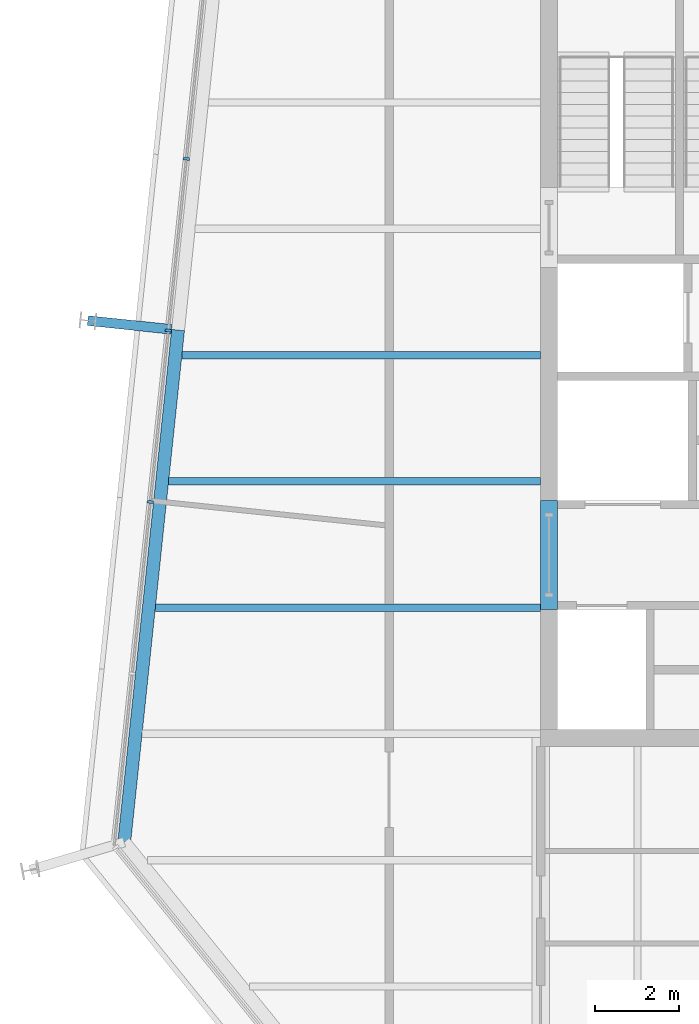
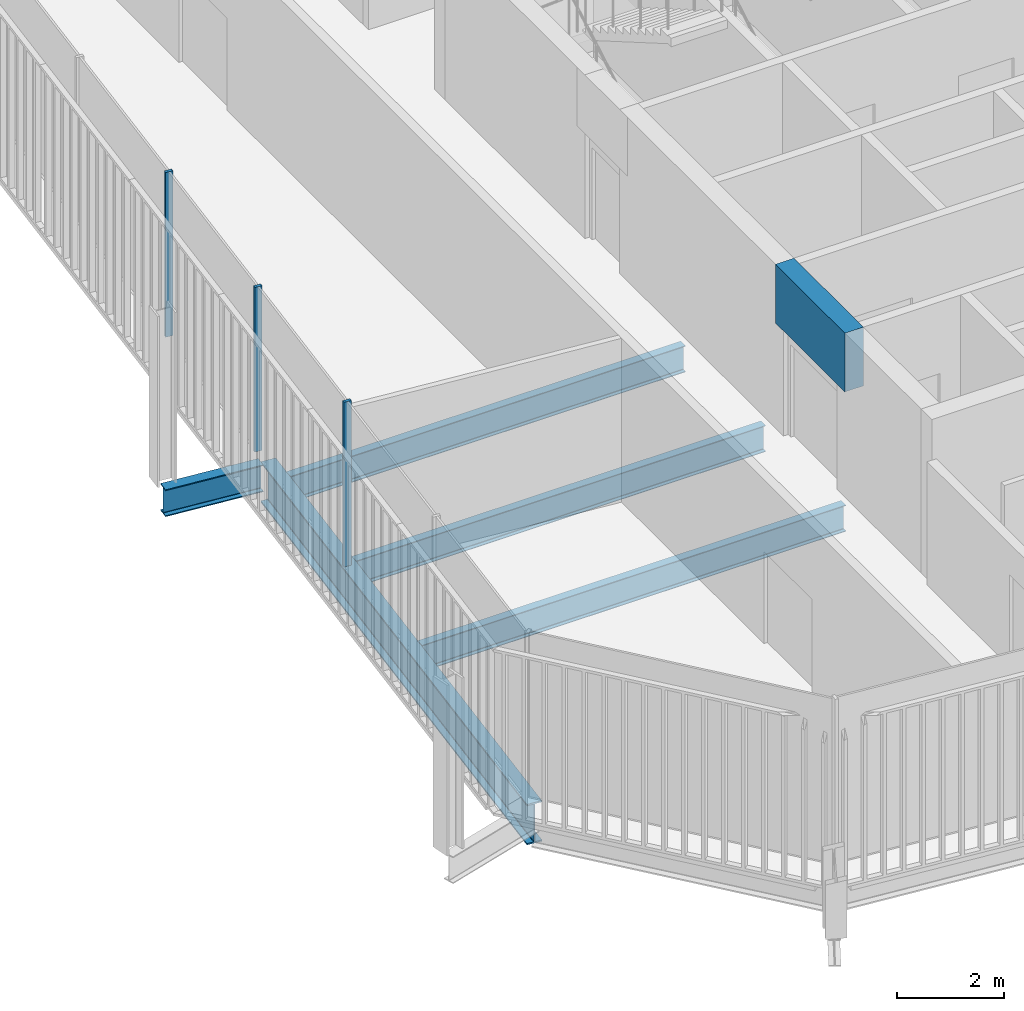
# One storey, part 6 of 20: 6 beams, 3 members, 1 element without a shape of its own.
"""IFC4 building model written with IfcOpenShell, lengths in metres."""

from ifc_helpers import new_model, si_unit, direction, frame, origin, origin_2d, place, context, subcontext, project, spatial, rectangle, i_section, extrude, material, layer, layer_set, material_profile, profile_set, type_object, element, aggregate, save


model = new_model("IFC4")

# Units and contexts
model_context = context("Model", 3, precision=1e-05, world=origin(), true_north=direction((0.0, 1.0)))
body_context = subcontext(model_context, "Body", "Model", "MODEL_VIEW")
ifc_project = project(units=[si_unit("LENGTHUNIT", "METRE"), si_unit("AREAUNIT", "SQUARE_METRE"), si_unit("VOLUMEUNIT", "CUBIC_METRE"), si_unit("PLANEANGLEUNIT", "RADIAN"), si_unit("MASSUNIT", "GRAM", prefix="KILO")], contexts=[model_context])

# Site, building, storey
site_placement = place(None, origin())
site = spatial("IfcSite", under=ifc_project, at=site_placement, CompositionType="ELEMENT")
building_placement = place(site_placement, origin())
building = spatial("IfcBuilding", under=site, at=building_placement, Name="Millrace Tower", CompositionType="ELEMENT")
storey_placement = place(building_placement, frame((0.0, 0.0, 322.60009765625)))
storey = spatial("IfcBuildingStorey", under=building, at=storey_placement, Name="L74", CompositionType="ELEMENT", Elevation=322.60009765625)

# Curtain wall, members
ifc_material_1 = material(Name="Aluminium and glass", Category="aluminium")
ifc_layer = layer(ifc_material_1, 0.14990234375)
ifc_layer_set = layer_set([ifc_layer], Name="Aluminium and glass")
curtain_wall_type = type_object("IfcCurtainWallType", Name="CW-1 office vision curtain wall", PredefinedType="NOTDEFINED", material=ifc_layer_set)
curtain_wall_placement = place(storey_placement, origin())
curtain_wall = element("IfcCurtainWall", 1, at=curtain_wall_placement, inside=storey, type_object=curtain_wall_type, Name="Curtain wall E-F08 L74", PredefinedType="NOTDEFINED")
ifc_material_2 = material(Name="Aluminium", Category="aluminium")
ifc_material_profile_1 = material_profile(ifc_material_2, rectangle(XDim=0.06494140625, YDim=0.14990234375, at=origin_2d()))
ifc_profile_set_1 = profile_set([ifc_material_profile_1], Name="Aluminium")
member_type = type_object("IfcMemberType", Name="CW-1 office vision curtain wall mullion", PredefinedType="MULLION", material=ifc_profile_set_1)
member_1_placement = place(storey_placement, frame((-22.717529296875, 4.664794921875, 0.139892578125), z_axis=(0.0, 0.0, 1.0), x_axis=(-0.104528455196, -0.994521896217, 0.0)))
member_1 = element("IfcMember", 2, at=member_1_placement, type_object=member_type, Name="CW1 mullion E-F08.6", PredefinedType="MULLION", context=body_context, shape_type="SweptSolid", body=[
    extrude(rectangle(XDim=0.06494140625, YDim=0.14990234375, at=origin_2d()), origin(), (0.0, 0.0, 1.0), 3.760009765625),
])
member_2_placement = place(storey_placement, frame((-23.146240234375, 0.587158203125, 0.139892578125), z_axis=(0.0, 0.0, 1.0), x_axis=(-0.104528455196, -0.994521896217, 0.0)))
member_2 = element("IfcMember", 3, at=member_2_placement, type_object=member_type, Name="CW1 mullion E-F08.7", PredefinedType="MULLION", context=body_context, shape_type="SweptSolid", body=[
    extrude(rectangle(XDim=0.06494140625, YDim=0.14990234375, at=origin_2d()), origin(), (0.0, 0.0, 1.0), 3.760009765625),
])
member_3_placement = place(storey_placement, frame((-23.57470703125, -3.490234375, 0.139892578125), z_axis=(0.0, 0.0, 1.0), x_axis=(-0.104528455196, -0.994521896217, 0.0)))
member_3 = element("IfcMember", 4, at=member_3_placement, type_object=member_type, Name="CW1 mullion E-F08.8", PredefinedType="MULLION", context=body_context, shape_type="SweptSolid", body=[
    extrude(rectangle(XDim=0.06494140625, YDim=0.14990234375, at=origin_2d()), origin(), (0.0, 0.0, 1.0), 3.760009765625),
])
aggregate(curtain_wall, [member_1, member_2, member_3])

# Beams
ifc_material_3 = material(Name="Concrete C60", Category="concrete")
ifc_material_profile_2 = material_profile(ifc_material_3, rectangle(XDim=0.39990234375, YDim=1.340087890625, at=origin_2d()))
ifc_profile_set_2 = profile_set([ifc_material_profile_2], Name="Concrete C60")
beam_type_1 = type_object("IfcBeamType", Name="Coupling beam 400 x 1340 Concrete C60, 2000 opening", PredefinedType="BEAM", material=ifc_profile_set_2)
beam_1_placement = place(storey_placement, frame((-14.10009765625, -6.050048828125, 3.06982421875), z_axis=(0.0, 1.0, 0.0), x_axis=(-1.0, 0.0, 0.0)))
element("IfcBeam", 5, at=beam_1_placement, inside=storey, type_object=beam_type_1, Name="Coupling beam W L74", PredefinedType="BEAM", context=body_context, shape_type="SweptSolid", body=[
    extrude(rectangle(XDim=0.39990234375, YDim=1.340087890625, at=origin_2d()), origin(), (0.0, 0.0, 1.0), 2.60009765625),
])
ifc_material_4 = material(Name="Steel ASTM A992 Grade 50", Category="steel")
ifc_material_profile_3 = material_profile(ifc_material_4, i_section(OverallWidth=0.177978515625, OverallDepth=0.599365234375, WebThickness=0.010009765625, FlangeThickness=0.012939453125, FilletRadius=0.012939453125, at=origin_2d()))
ifc_profile_set_3 = profile_set([ifc_material_profile_3], Name="Steel ASTM A992 Grade 50")
beam_type_2 = type_object("IfcBeamType", Name="Floor beam W24x55", PredefinedType="JOIST", material=ifc_profile_set_3)
beam_2_placement = place(storey_placement, frame((-23.4541015625, -6.0, -0.459716796875), z_axis=(1.0, 0.0, 0.0), x_axis=(0.0, 1.0, 0.0)))
element("IfcBeam", 6, at=beam_2_placement, inside=storey, type_object=beam_type_2, Name="BM-E-L74-S1-S009", PredefinedType="JOIST", context=body_context, shape_type="SweptSolid", body=[
    extrude(i_section(OverallWidth=0.177978515625, OverallDepth=0.599365234375, WebThickness=0.010009765625, FlangeThickness=0.012939453125, FilletRadius=0.012939453125, at=origin_2d()), origin(), (0.0, 0.0, 1.0), 9.154052734375),
])
beam_3_placement = place(storey_placement, frame((-23.138916015625, -3.0, -0.459716796875), z_axis=(1.0, 0.0, 0.0), x_axis=(0.0, 1.0, 0.0)))
element("IfcBeam", 7, at=beam_3_placement, inside=storey, type_object=beam_type_2, Name="BM-E-L74-S1-S012", PredefinedType="JOIST", context=body_context, shape_type="SweptSolid", body=[
    extrude(i_section(OverallWidth=0.177978515625, OverallDepth=0.599365234375, WebThickness=0.010009765625, FlangeThickness=0.012939453125, FilletRadius=0.012939453125, at=origin_2d()), origin(), (0.0, 0.0, 1.0), 8.8388671875),
])
beam_4_placement = place(storey_placement, frame((-22.823486328125, 0.0, -0.459716796875), z_axis=(1.0, 0.0, 0.0), x_axis=(0.0, 1.0, 0.0)))
element("IfcBeam", 8, at=beam_4_placement, inside=storey, type_object=beam_type_2, Name="BM-E-L74-S1-S015", PredefinedType="JOIST", context=body_context, shape_type="SweptSolid", body=[
    extrude(i_section(OverallWidth=0.177978515625, OverallDepth=0.599365234375, WebThickness=0.010009765625, FlangeThickness=0.012939453125, FilletRadius=0.012939453125, at=origin_2d()), origin(), (0.0, 0.0, 1.0), 8.5234375),
])
ifc_material_5 = material(Name="Steel ASTM A992 Grade 50", Category="steel")
ifc_material_profile_4 = material_profile(ifc_material_5, i_section(OverallWidth=0.23046875, OverallDepth=0.6171875, WebThickness=0.01318359375, FlangeThickness=0.022216796875, FilletRadius=0.012939453125, at=origin_2d()))
ifc_profile_set_4 = profile_set([ifc_material_profile_4], Name="Steel ASTM A992 Grade 50")
beam_type_3 = type_object("IfcBeamType", Name="Link beam W24x94", PredefinedType="BEAM", material=ifc_profile_set_4)
beam_5_placement = place(storey_placement, frame((-23.068115234375, 0.61181640625, -0.46875), z_axis=(-0.994526834051, 0.104481464157, 0.0), x_axis=(-0.104481464157, -0.994526834051, 0.0)))
element("IfcBeam", 9, at=beam_5_placement, inside=storey, type_object=beam_type_3, Name="LNK-E-L74-S1-02", PredefinedType="BEAM", context=body_context, shape_type="SweptSolid", body=[
    extrude(i_section(OverallWidth=0.23046875, OverallDepth=0.6171875, WebThickness=0.01318359375, FlangeThickness=0.022216796875, FilletRadius=0.012939453125, at=origin_2d()), origin(), (0.0, 0.0, 1.0), 2.000244140625),
])
ifc_material_6 = material(Name="Steel ASTM A992 Grade 50", Category="steel")
ifc_material_profile_5 = material_profile(ifc_material_6, i_section(OverallWidth=0.307373046875, OverallDepth=0.927001953125, WebThickness=0.01953125, FlangeThickness=0.031982421875, FilletRadius=0.01904296875, at=origin_2d()))
ifc_profile_set_5 = profile_set([ifc_material_profile_5], Name="Steel ASTM A992 Grade 50")
beam_type_4 = type_object("IfcBeamType", Name="Ring beam medium span W36x194", PredefinedType="SPANDREL", material=ifc_profile_set_5)
beam_6_placement = place(storey_placement, frame((-24.1943359375, -11.57373046875, -0.62353515625), z_axis=(0.104527955888, 0.994521948696, 0.0), x_axis=(-0.994521948696, 0.104527955888, 0.0)))
element("IfcBeam", 10, at=beam_6_placement, inside=storey, type_object=beam_type_4, Name="RNG-E-L74-S1-01", PredefinedType="SPANDREL", context=body_context, shape_type="SweptSolid", body=[
    extrude(i_section(OverallWidth=0.307373046875, OverallDepth=0.927001953125, WebThickness=0.01953125, FlangeThickness=0.031982421875, FilletRadius=0.01904296875, at=origin_2d()), origin(), (0.0, 0.0, 1.0), 12.236572265625),
])

save(model, "model.ifc")
